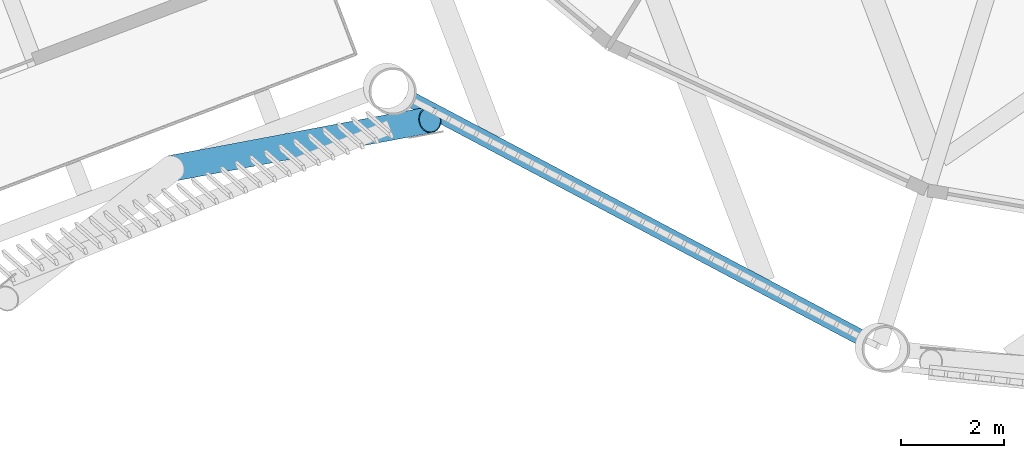
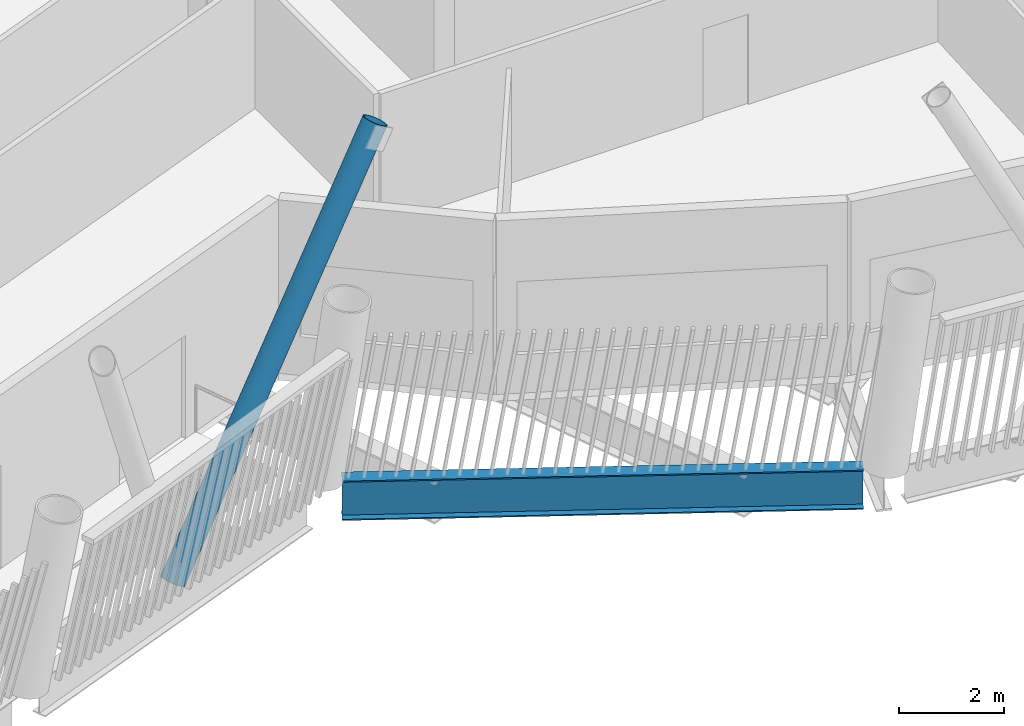
# One storey, part 3 of 33: 1 beam, 1 member.
"""IFC4 building model written with IfcOpenShell, lengths in metres."""

from ifc_helpers import new_model, si_unit, direction, frame, origin, origin_2d, place, context, subcontext, project, spatial, hollow_circle, i_section, extrude, material, material_profile, profile_set, type_object, element, save


model = new_model("IFC4")

# Units and contexts
model_context = context("Model", 3, precision=1e-05, world=origin(), true_north=direction((0.0, 1.0)))
body_context = subcontext(model_context, "Body", "Model", "MODEL_VIEW")
ifc_project = project(units=[si_unit("LENGTHUNIT", "METRE"), si_unit("AREAUNIT", "SQUARE_METRE"), si_unit("VOLUMEUNIT", "CUBIC_METRE"), si_unit("PLANEANGLEUNIT", "RADIAN"), si_unit("MASSUNIT", "GRAM", prefix="KILO")], contexts=[model_context])

# Site, building, storey
site_placement = place(None, origin())
site = spatial("IfcSite", under=ifc_project, at=site_placement, CompositionType="ELEMENT")
building_placement = place(site_placement, origin())
building = spatial("IfcBuilding", under=site, at=building_placement, Name="Tarsis Ring Headquarters", CompositionType="ELEMENT")
storey_placement = place(building_placement, frame((0.0, 0.0, 369.199951171875)))
storey = spatial("IfcBuildingStorey", under=building, at=storey_placement, Name="L87", CompositionType="ELEMENT", Elevation=369.199951171875)

# Member
ifc_material = material(Name="Structural steel S355", Category="steel")
ifc_material_profile_1 = material_profile(ifc_material, hollow_circle(Radius=0.25390625, WallThickness=0.02001953125, at=origin_2d()), Name="CHS 508x20")
ifc_profile_set_1 = profile_set([ifc_material_profile_1], Name="Structural steel S355")
member_type = type_object("IfcMemberType", Name="XD X brace CHS 508x20", PredefinedType="BRACE", material=ifc_profile_set_1)
member_placement = place(storey_placement, frame((-22.27197265625, -24.292236328125, 0.0), z_axis=(0.508933844323, 0.095575831627, 0.85548325671), x_axis=(-0.184569732448, 0.982819420781, 0.0)))
element("IfcMember", 1, at=member_placement, inside=storey, type_object=member_type, Name="X brace XD2", PredefinedType="BRACE", context=body_context, shape_type="SweptSolid", body=[
    extrude(hollow_circle(Radius=0.25390625, WallThickness=0.02001953125, at=origin_2d()), origin(), (0.0, 0.0, 1.0), 9.819091796875),
])

# Beam
ifc_material_profile_2 = material_profile(ifc_material, i_section(OverallWidth=0.3046875, OverallDepth=0.91943359375, WebThickness=0.017333984375, FlangeThickness=0.02783203125, at=origin_2d()), Name="W36x170")
ifc_profile_set_2 = profile_set([ifc_material_profile_2], Name="Structural steel S355")
beam_type = type_object("IfcBeamType", Name="XG Ring girder W36x170", PredefinedType="BEAM", material=ifc_profile_set_2)
beam_placement = place(storey_placement, frame((-17.7470703125, -22.904052734375, -0.459716796875), z_axis=(0.883892953133, -0.467689263724, 0.0), x_axis=(0.467689263724, 0.883892953133, 0.0)))
element("IfcBeam", 2, at=beam_placement, inside=storey, type_object=beam_type, Name="Ring girder XG4", PredefinedType="BEAM", context=body_context, shape_type="SweptSolid", body=[
    extrude(i_section(OverallWidth=0.3046875, OverallDepth=0.91943359375, WebThickness=0.017333984375, FlangeThickness=0.02783203125, at=origin_2d()), origin(), (0.0, 0.0, 1.0), 9.948486328125),
])

save(model, "model.ifc")
